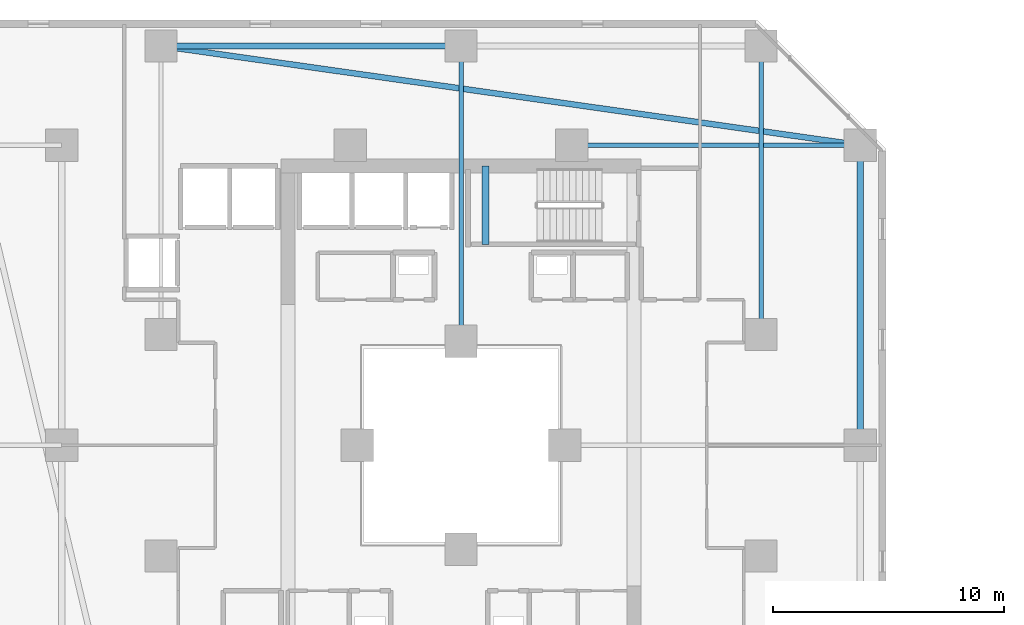
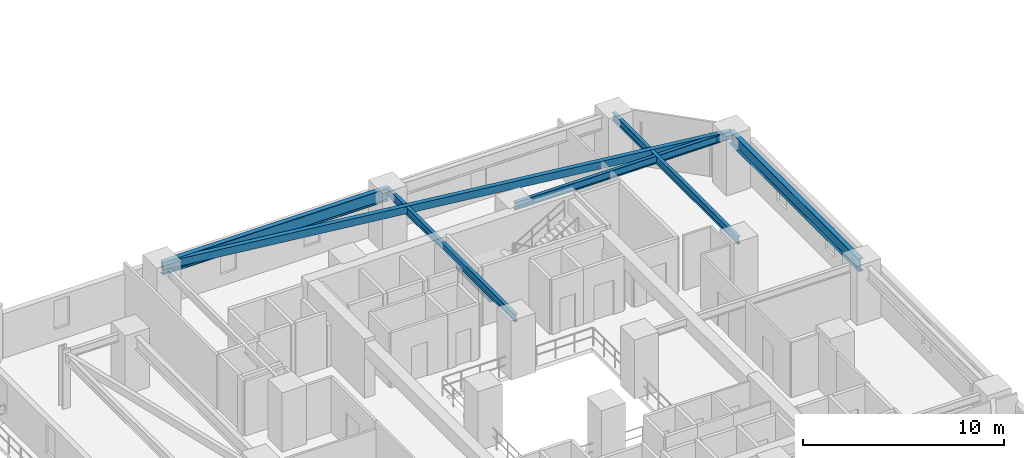
# One storey, part 8 of 33: 7 beams.
"""IFC4 building model written with IfcOpenShell, lengths in metres."""

from ifc_helpers import new_model, si_unit, direction, frame, origin, origin_2d, place, context, subcontext, project, spatial, rectangle, hollow_rectangle, i_section, extrude, material, material_profile, profile_set, type_object, element, save


model = new_model("IFC4")

# Units and contexts
model_context = context("Model", 3, precision=1e-05, world=origin(), true_north=direction((0.0, 1.0)))
body_context = subcontext(model_context, "Body", "Model", "MODEL_VIEW")
ifc_project = project(units=[si_unit("LENGTHUNIT", "METRE"), si_unit("AREAUNIT", "SQUARE_METRE"), si_unit("VOLUMEUNIT", "CUBIC_METRE"), si_unit("PLANEANGLEUNIT", "RADIAN"), si_unit("MASSUNIT", "GRAM", prefix="KILO")], contexts=[model_context])

# Site, building, storey
site_placement = place(None, origin())
site = spatial("IfcSite", under=ifc_project, at=site_placement, CompositionType="ELEMENT")
building_placement = place(site_placement, origin())
building = spatial("IfcBuilding", under=site, at=building_placement, Name="Thornwick Lancets Civic Towers", CompositionType="ELEMENT")
storey_placement = place(building_placement, frame((0.0, 0.0, 35.10009765625)))
storey = spatial("IfcBuildingStorey", under=building, at=storey_placement, Name="L08", CompositionType="ELEMENT", Elevation=35.10009765625)

# Beams
ifc_material_1 = material(Name="Steel S355JR", Category="steel")
ifc_material_profile_1 = material_profile(ifc_material_1, i_section(OverallWidth=0.26806640625, OverallDepth=0.769775390625, WebThickness=0.015625, FlangeThickness=0.025390625, FilletRadius=0.0166015625, at=origin_2d()), Name="UKB 762x267x197")
ifc_profile_set_1 = profile_set([ifc_material_profile_1], Name="Steel S355JR")
beam_type_1 = type_object("IfcBeamType", Name="BM_GIRD_762_197", PredefinedType="BEAM", material=ifc_profile_set_1)
beam_1_placement = place(storey_placement, frame((42.800048828125, 27.080078125, 2.97509765625), z_axis=(0.0, 1.0, 0.0), x_axis=(-1.0, 0.0, 0.0)))
element("IfcBeam", 1, at=beam_1_placement, inside=storey, type_object=beam_type_1, Name="BM-SPINE-L08-A-4-5", PredefinedType="BEAM", context=body_context, shape_type="SweptSolid", body=[
    extrude(i_section(OverallWidth=0.26806640625, OverallDepth=0.769775390625, WebThickness=0.015625, FlangeThickness=0.025390625, FilletRadius=0.0166015625, at=origin_2d()), origin(), (0.0, 0.0, 1.0), 12.919921875),
])
beam_2_placement = place(storey_placement, frame((12.5, 44.300048828125, 2.97509765625), z_axis=(1.0, 0.0, 0.0), x_axis=(0.0, 1.0, 0.0)))
element("IfcBeam", 2, at=beam_2_placement, inside=storey, type_object=beam_type_1, Name="BM-SPINE-L08-A-6-7", PredefinedType="BEAM", context=body_context, shape_type="SweptSolid", body=[
    extrude(i_section(OverallWidth=0.26806640625, OverallDepth=0.769775390625, WebThickness=0.015625, FlangeThickness=0.025390625, FilletRadius=0.0166015625, at=origin_2d()), origin(), (0.0, 0.0, 1.0), 13.0),
])
ifc_material_profile_2 = material_profile(ifc_material_1, i_section(OverallWidth=0.19287109375, OverallDepth=0.46728515625, WebThickness=0.011474609375, FlangeThickness=0.01953125, FilletRadius=0.01025390625, at=origin_2d()), Name="UKB 457x191x98")
ifc_profile_set_2 = profile_set([ifc_material_profile_2], Name="Steel S355JR")
beam_type_2 = type_object("IfcBeamType", Name="BM_JOIST_457_98", PredefinedType="JOIST", material=ifc_profile_set_2)
beam_3_placement = place(storey_placement, frame((30.300048828125, 40.0, 3.126220703125), z_axis=(1.0, 0.0, 0.0), x_axis=(0.0, 1.0, 0.0)))
element("IfcBeam", 3, at=beam_3_placement, inside=storey, type_object=beam_type_2, Name="BM-RADIN-L08-A06", PredefinedType="JOIST", context=body_context, shape_type="SweptSolid", body=[
    extrude(i_section(OverallWidth=0.19287109375, OverallDepth=0.46728515625, WebThickness=0.011474609375, FlangeThickness=0.01953125, FilletRadius=0.01025390625, at=origin_2d()), origin(), (0.0, 0.0, 1.0), 12.5),
])
beam_4_placement = place(storey_placement, frame((25.5, 31.5, 3.126220703125), z_axis=(0.0, 1.0, 0.0), x_axis=(-1.0, 0.0, 0.0)))
element("IfcBeam", 4, at=beam_4_placement, inside=storey, type_object=beam_type_2, Name="BM-RADIN-L08-A08", PredefinedType="JOIST", context=body_context, shape_type="SweptSolid", body=[
    extrude(i_section(OverallWidth=0.19287109375, OverallDepth=0.46728515625, WebThickness=0.011474609375, FlangeThickness=0.01953125, FilletRadius=0.01025390625, at=origin_2d()), origin(), (0.0, 0.0, 1.0), 12.800048828125),
])
beam_5_placement = place(storey_placement, frame((38.5, 31.800048828125, 3.126220703125), z_axis=(0.0, 1.0, 0.0), x_axis=(-1.0, 0.0, 0.0)))
element("IfcBeam", 5, at=beam_5_placement, inside=storey, type_object=beam_type_2, Name="BM-RADIN-L08-A09", PredefinedType="JOIST", context=body_context, shape_type="SweptSolid", body=[
    extrude(i_section(OverallWidth=0.19287109375, OverallDepth=0.46728515625, WebThickness=0.011474609375, FlangeThickness=0.01953125, FilletRadius=0.01025390625, at=origin_2d()), origin(), (0.0, 0.0, 1.0), 12.5),
])
ifc_material_profile_3 = material_profile(ifc_material_1, hollow_rectangle(XDim=0.25, YDim=0.449951171875, WallThickness=0.01611328125, at=origin_2d()), Name="RHS 450x250x16")
ifc_profile_set_3 = profile_set([ifc_material_profile_3], Name="Steel S355JR")
beam_type_3 = type_object("IfcBeamType", Name="BM_RING_RHS450", PredefinedType="BEAM", material=ifc_profile_set_3)
beam_6_placement = place(storey_placement, frame((42.800048828125, 40.0, 3.135009765625), z_axis=(-0.990079584012, 0.140507712682, 0.0), x_axis=(-0.140507712682, -0.990079584012, 0.0)))
element("IfcBeam", 6, at=beam_6_placement, inside=storey, type_object=beam_type_3, Name="BM-CHAMF-L08-A-C1", PredefinedType="BEAM", context=body_context, shape_type="SweptSolid", body=[
    extrude(hollow_rectangle(XDim=0.25, YDim=0.449951171875, WallThickness=0.01611328125, at=origin_2d()), origin(), (0.0, 0.0, 1.0), 30.603759765625),
])
ifc_material_2 = material(Name="Concrete C40/50", Category="concrete")
ifc_material_profile_4 = material_profile(ifc_material_2, rectangle(XDim=0.300048828125, YDim=0.35009765625, at=origin_2d()), Name="RC 300x350")
ifc_profile_set_4 = profile_set([ifc_material_profile_4], Name="Concrete C40/50")
beam_type_4 = type_object("IfcBeamType", Name="BM_STAIR_LDG", PredefinedType="BEAM", material=ifc_profile_set_4)
beam_7_placement = place(storey_placement, frame((26.56494140625, 39.10009765625, 1.3779296875), z_axis=(0.0, -1.0, 0.0), x_axis=(1.0, 0.0, 0.0)))
element("IfcBeam", 7, at=beam_7_placement, inside=storey, type_object=beam_type_4, Name="L08 ST-A2 Landing Support Beam 1", PredefinedType="BEAM", context=body_context, shape_type="SweptSolid", body=[
    extrude(rectangle(XDim=0.300048828125, YDim=0.35009765625, at=origin_2d()), origin(), (0.0, 0.0, 1.0), 3.400146484375),
])

save(model, "model.ifc")
